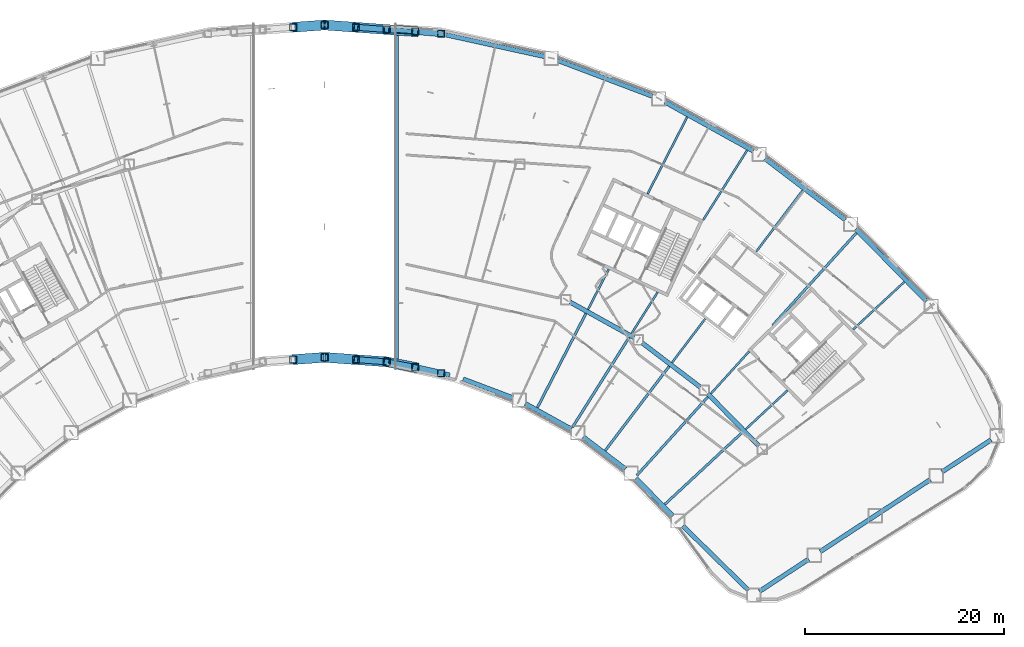
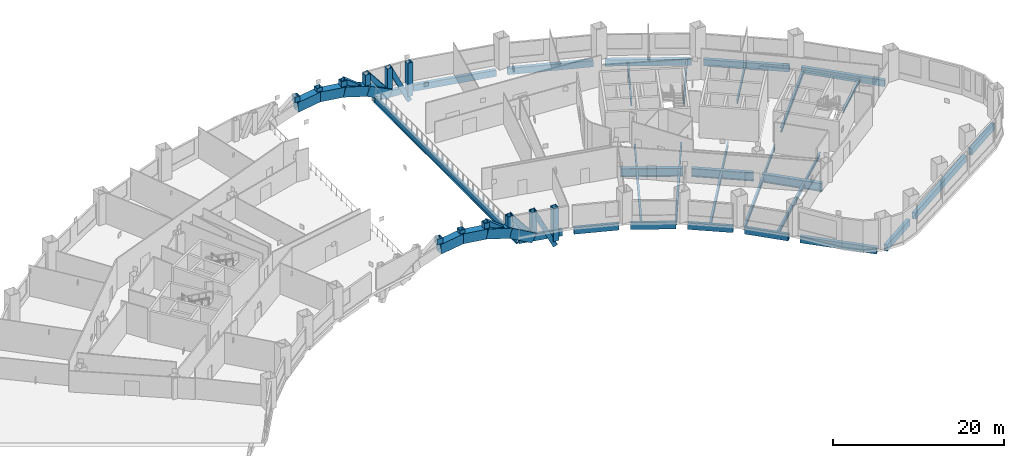
# One storey, part 4 of 24: 42 beams, 18 members.
"""IFC4 building model written with IfcOpenShell, lengths in metres."""

from ifc_helpers import new_model, si_unit, direction, frame, origin, origin_2d, place, context, subcontext, project, spatial, hollow_rectangle, i_section, extrude, material, material_profile, profile_set, type_object, element, save


model = new_model("IFC4")

# Units and contexts
model_context = context("Model", 3, precision=1e-05, world=origin(), true_north=direction((0.0, 1.0)))
body_context = subcontext(model_context, "Body", "Model", "MODEL_VIEW")
ifc_project = project(units=[si_unit("LENGTHUNIT", "METRE"), si_unit("AREAUNIT", "SQUARE_METRE"), si_unit("VOLUMEUNIT", "CUBIC_METRE"), si_unit("PLANEANGLEUNIT", "RADIAN"), si_unit("MASSUNIT", "GRAM", prefix="KILO")], contexts=[model_context])

# Site, building, storey
site_placement = place(None, origin())
site = spatial("IfcSite", under=ifc_project, at=site_placement, CompositionType="ELEMENT")
building_placement = place(site_placement, origin())
building = spatial("IfcBuilding", under=site, at=building_placement, Name="Tuul Gate Civic Tower", CompositionType="ELEMENT")
storey_placement = place(building_placement, frame((0.0, 0.0, 21.89990234375)))
storey = spatial("IfcBuildingStorey", under=building, at=storey_placement, Name="Level 04", CompositionType="ELEMENT", Elevation=21.89990234375)

# Beams
ifc_material_1 = material(Name="Steel S460", Category="steel")
ifc_material_profile_1 = material_profile(ifc_material_1, hollow_rectangle(XDim=1.0, YDim=1.39990234375, WallThickness=0.0400390625, at=origin_2d()), Name="BOX1400x1000x40")
ifc_profile_set_1 = profile_set([ifc_material_profile_1], Name="Steel S460")
beam_type_1 = type_object("IfcBeamType", Name="STR-ARCH TRUSS CHORD-BOX1400x1000x40", PredefinedType="BEAM", material=ifc_profile_set_1)
for number, where, z_axis, x_axis, name in (
    (1, (-3.162109375, 19.68505859375, 1.525146484375), (0.993659432401, 0.071962055867, 0.086385154485), (-0.07223207268, 0.99738785218, 0.0), "Arch rib"),
    (2, (0.0, 19.9140625, 1.800048828125), (0.993659432401, -0.071962055867, -0.086385154485), (0.07223207268, 0.99738785218, 0.0), "Arch rib"),
):
    element("IfcBeam", number, at=place(storey_placement, frame(where, z_axis=z_axis, x_axis=x_axis)), inside=storey, type_object=beam_type_1, Name=name, PredefinedType="BEAM", context=body_context, shape_type="SweptSolid", body=[
        extrude(hollow_rectangle(XDim=1.0, YDim=1.39990234375, WallThickness=0.0400390625, at=origin_2d()), origin(), (0.0, 0.0, 1.0), 3.182373046875),
    ])
beam_1_placement = place(storey_placement, frame((3.162109375, 19.68505859375, 1.525146484375), z_axis=(0.963876910917, -0.069801686212, -0.257038956588), x_axis=(0.07222848812, 0.997388111772, 0.0)))
element("IfcBeam", 3, at=beam_1_placement, inside=storey, type_object=beam_type_1, Name="Arch rib", PredefinedType="BEAM", context=body_context, shape_type="SweptSolid", body=[
    extrude(hollow_rectangle(XDim=1.0, YDim=1.39990234375, WallThickness=0.0400390625, at=origin_2d()), origin(), (0.0, 0.0, 1.0), 3.182861328125),
])
beam_2_placement = place(storey_placement, frame((6.22998046875, 19.462890625, 0.70703125), z_axis=(0.905323274068, -0.065614257805, -0.419624282666), x_axis=(0.072286449548, 0.997383912649, 0.0)))
element("IfcBeam", 4, at=beam_2_placement, inside=storey, type_object=beam_type_1, Name="Arch rib", PredefinedType="BEAM", context=body_context, shape_type="SweptSolid", body=[
    extrude(hollow_rectangle(XDim=1.0, YDim=1.39990234375, WallThickness=0.0400390625, at=origin_2d()), origin(), (0.0, 0.0, 1.0), 3.181396484375),
])
for number, where, z_axis, x_axis, name in (
    (5, (-3.162109375, -13.7021484375, 1.525146484375), (0.993653943699, 0.072038376554, 0.086384677317), (-0.072308676735, 0.997382301462, 0.0), "Arch rib"),
    (6, (0.0, -13.472900390625, 1.800048828125), (0.993653943699, -0.072038376554, -0.086384677317), (0.072308676735, 0.997382301462, 0.0), "Arch rib"),
):
    element("IfcBeam", number, at=place(storey_placement, frame(where, z_axis=z_axis, x_axis=x_axis)), inside=storey, type_object=beam_type_1, Name=name, PredefinedType="BEAM", context=body_context, shape_type="SweptSolid", body=[
        extrude(hollow_rectangle(XDim=1.0, YDim=1.39990234375, WallThickness=0.0400390625, at=origin_2d()), origin(), (0.0, 0.0, 1.0), 3.182373046875),
    ])
beam_3_placement = place(storey_placement, frame((3.162109375, -13.7021484375, 1.525146484375), z_axis=(0.963871747382, -0.069878017019, -0.257037579618), x_axis=(0.072307445326, 0.997382390736, 0.0)))
element("IfcBeam", 7, at=beam_3_placement, inside=storey, type_object=beam_type_1, Name="Arch rib", PredefinedType="BEAM", context=body_context, shape_type="SweptSolid", body=[
    extrude(hollow_rectangle(XDim=1.0, YDim=1.39990234375, WallThickness=0.0400390625, at=origin_2d()), origin(), (0.0, 0.0, 1.0), 3.182861328125),
])
beam_4_placement = place(storey_placement, frame((6.22998046875, -13.924560546875, 0.70703125), z_axis=(0.893267297802, -0.175064337757, -0.41403624518), x_axis=(0.192323360014, 0.98133160817, 0.0)))
element("IfcBeam", 8, at=beam_4_placement, inside=storey, type_object=beam_type_1, Name="Arch rib", PredefinedType="BEAM", context=body_context, shape_type="SweptSolid", body=[
    extrude(hollow_rectangle(XDim=1.0, YDim=1.39990234375, WallThickness=0.0400390625, at=origin_2d()), origin(), (0.0, 0.0, 1.0), 3.224365234375),
])

# Members
ifc_material_2 = material(Name="Steel S355", Category="steel")
ifc_material_profile_2 = material_profile(ifc_material_2, hollow_rectangle(XDim=0.60009765625, YDim=0.60009765625, WallThickness=0.02490234375, at=origin_2d()), Name="BOX600x600x25")
ifc_profile_set_2 = profile_set([ifc_material_profile_2], Name="Steel S355")
member_type_1 = type_object("IfcMemberType", Name="STR-ARCH TRUSS DIAGONAL-BOX600x600x25", PredefinedType="BRACE", material=ifc_profile_set_2)
member_1_placement = place(storey_placement, frame((6.22998046875, 19.462890625, 0.70703125), z_axis=(-0.798402388449, 0.05781841266, 0.599341853433), x_axis=(-0.07222848812, -0.997388111772, 0.0)))
element("IfcMember", 9, at=member_1_placement, inside=storey, type_object=member_type_1, Name="Arch web", PredefinedType="BRACE", context=body_context, shape_type="SweptSolid", body=[
    extrude(hollow_rectangle(XDim=0.60009765625, YDim=0.60009765625, WallThickness=0.02490234375, at=origin_2d()), origin(), (0.0, 0.0, 1.0), 3.842529296875),
])
member_2_placement = place(storey_placement, frame((9.110107421875, 19.254150390625, -0.6279296875), z_axis=(-0.620087915001, 0.044941524737, 0.783244046913), x_axis=(-0.072286449548, -0.997383912649, 0.0)))
element("IfcMember", 10, at=member_2_placement, inside=storey, type_object=member_type_1, Name="Arch web", PredefinedType="BRACE", context=body_context, shape_type="SweptSolid", body=[
    extrude(hollow_rectangle(XDim=0.60009765625, YDim=0.60009765625, WallThickness=0.02490234375, at=origin_2d()), origin(), (0.0, 0.0, 1.0), 4.644775390625),
])
member_3_placement = place(storey_placement, frame((11.715087890625, 19.0361328125, -2.44189453125), z_axis=(-0.430844831855, 0.036058522479, 0.901705336471), x_axis=(-0.083401016609, -0.996516066317, 0.0)))
element("IfcMember", 11, at=member_3_placement, inside=storey, type_object=member_type_1, Name="Arch web", PredefinedType="BRACE", context=body_context, shape_type="SweptSolid", body=[
    extrude(hollow_rectangle(XDim=0.60009765625, YDim=0.60009765625, WallThickness=0.02490234375, at=origin_2d()), origin(), (0.0, 0.0, 1.0), 6.046142578125),
])
member_4_placement = place(storey_placement, frame((6.22998046875, -13.924560546875, 0.70703125), z_axis=(-0.798399453849, 0.057881736627, 0.599339650498), x_axis=(-0.072307445326, -0.997382390736, 0.0)))
element("IfcMember", 12, at=member_4_placement, inside=storey, type_object=member_type_1, Name="Arch web", PredefinedType="BRACE", context=body_context, shape_type="SweptSolid", body=[
    extrude(hollow_rectangle(XDim=0.60009765625, YDim=0.60009765625, WallThickness=0.02490234375, at=origin_2d()), origin(), (0.0, 0.0, 1.0), 3.842529296875),
])
member_5_placement = place(storey_placement, frame((9.110107421875, -14.489013671875, -0.6279296875), z_axis=(-0.616172608496, 0.12075875823, 0.778298553802), x_axis=(-0.192323360014, -0.98133160817, 0.0)))
element("IfcMember", 13, at=member_5_placement, inside=storey, type_object=member_type_1, Name="Arch web", PredefinedType="BRACE", context=body_context, shape_type="SweptSolid", body=[
    extrude(hollow_rectangle(XDim=0.60009765625, YDim=0.60009765625, WallThickness=0.02490234375, at=origin_2d()), origin(), (0.0, 0.0, 1.0), 4.67431640625),
])
member_6_placement = place(storey_placement, frame((11.715087890625, -15.063232421875, -2.44189453125), z_axis=(-0.429191468497, 0.094607154068, 0.898245049955), x_axis=(-0.215263336647, -0.976556038277, 0.0)))
element("IfcMember", 14, at=member_6_placement, inside=storey, type_object=member_type_1, Name="Arch web", PredefinedType="BRACE", context=body_context, shape_type="SweptSolid", body=[
    extrude(hollow_rectangle(XDim=0.60009765625, YDim=0.60009765625, WallThickness=0.02490234375, at=origin_2d()), origin(), (0.0, 0.0, 1.0), 6.069580078125),
])
ifc_material_3 = material(Name="Steel S355", Category="steel")
ifc_material_profile_3 = material_profile(ifc_material_3, hollow_rectangle(XDim=0.699951171875, YDim=0.699951171875, WallThickness=0.030029296875, at=origin_2d()), Name="BOX700x700x30")
ifc_profile_set_3 = profile_set([ifc_material_profile_3], Name="Steel S355")
member_type_2 = type_object("IfcMemberType", Name="STR-ARCH TRUSS POST-BOX700x700x30", PredefinedType="POST", material=ifc_profile_set_3)
member_7_placement = place(storey_placement, frame((-3.162109375, 19.68505859375, 2.215087890625), z_axis=(0.0, 0.0, 1.0), x_axis=(1.0, 0.0, 0.0)))
element("IfcMember", 15, at=member_7_placement, inside=storey, type_object=member_type_2, Name="Arch post", PredefinedType="POST", context=body_context, shape_type="SweptSolid", body=[
    extrude(hollow_rectangle(XDim=0.699951171875, YDim=0.699951171875, WallThickness=0.030029296875, at=origin_2d()), origin(), (0.0, 0.0, 1.0), 0.794921875),
])
member_8_placement = place(storey_placement, frame((0.0, 19.9140625, 2.489990234375), z_axis=(0.0, 0.0, 1.0), x_axis=(1.0, 0.0, 0.0)))
element("IfcMember", 16, at=member_8_placement, inside=storey, type_object=member_type_2, Name="Arch post", PredefinedType="POST", context=body_context, shape_type="SweptSolid", body=[
    extrude(hollow_rectangle(XDim=0.699951171875, YDim=0.699951171875, WallThickness=0.030029296875, at=origin_2d()), origin(), (0.0, 0.0, 1.0), 0.52001953125),
])
member_9_placement = place(storey_placement, frame((3.162109375, 19.68505859375, 2.215087890625), z_axis=(0.0, 0.0, 1.0), x_axis=(1.0, 0.0, 0.0)))
element("IfcMember", 17, at=member_9_placement, inside=storey, type_object=member_type_2, Name="Arch post", PredefinedType="POST", context=body_context, shape_type="SweptSolid", body=[
    extrude(hollow_rectangle(XDim=0.699951171875, YDim=0.699951171875, WallThickness=0.030029296875, at=origin_2d()), origin(), (0.0, 0.0, 1.0), 0.794921875),
])
member_10_placement = place(storey_placement, frame((6.22998046875, 19.462890625, 1.397216796875), z_axis=(0.0, 0.0, 1.0), x_axis=(1.0, 0.0, 0.0)))
element("IfcMember", 18, at=member_10_placement, inside=storey, type_object=member_type_2, Name="Arch post", PredefinedType="POST", context=body_context, shape_type="SweptSolid", body=[
    extrude(hollow_rectangle(XDim=0.699951171875, YDim=0.699951171875, WallThickness=0.030029296875, at=origin_2d()), origin(), (0.0, 0.0, 1.0), 1.61279296875),
])
member_11_placement = place(storey_placement, frame((9.110107421875, 19.254150390625, 0.06201171875), z_axis=(0.0, 0.0, 1.0), x_axis=(1.0, 0.0, 0.0)))
element("IfcMember", 19, at=member_11_placement, inside=storey, type_object=member_type_2, Name="Arch post", PredefinedType="POST", context=body_context, shape_type="SweptSolid", body=[
    extrude(hollow_rectangle(XDim=0.699951171875, YDim=0.699951171875, WallThickness=0.030029296875, at=origin_2d()), origin(), (0.0, 0.0, 1.0), 2.947998046875),
])
member_12_placement = place(storey_placement, frame((11.715087890625, 19.0361328125, -1.751953125), z_axis=(0.0, 0.0, 1.0), x_axis=(1.0, 0.0, 0.0)))
element("IfcMember", 20, at=member_12_placement, inside=storey, type_object=member_type_2, Name="Arch post", PredefinedType="POST", context=body_context, shape_type="SweptSolid", body=[
    extrude(hollow_rectangle(XDim=0.699951171875, YDim=0.699951171875, WallThickness=0.030029296875, at=origin_2d()), origin(), (0.0, 0.0, 1.0), 4.761962890625),
])
member_13_placement = place(storey_placement, frame((-3.162109375, -13.7021484375, 2.215087890625), z_axis=(0.0, 0.0, 1.0), x_axis=(1.0, 0.0, 0.0)))
element("IfcMember", 21, at=member_13_placement, inside=storey, type_object=member_type_2, Name="Arch post", PredefinedType="POST", context=body_context, shape_type="SweptSolid", body=[
    extrude(hollow_rectangle(XDim=0.699951171875, YDim=0.699951171875, WallThickness=0.030029296875, at=origin_2d()), origin(), (0.0, 0.0, 1.0), 0.794921875),
])
member_14_placement = place(storey_placement, frame((0.0, -13.472900390625, 2.489990234375), z_axis=(0.0, 0.0, 1.0), x_axis=(1.0, 0.0, 0.0)))
element("IfcMember", 22, at=member_14_placement, inside=storey, type_object=member_type_2, Name="Arch post", PredefinedType="POST", context=body_context, shape_type="SweptSolid", body=[
    extrude(hollow_rectangle(XDim=0.699951171875, YDim=0.699951171875, WallThickness=0.030029296875, at=origin_2d()), origin(), (0.0, 0.0, 1.0), 0.52001953125),
])
member_15_placement = place(storey_placement, frame((3.162109375, -13.7021484375, 2.215087890625), z_axis=(0.0, 0.0, 1.0), x_axis=(1.0, 0.0, 0.0)))
element("IfcMember", 23, at=member_15_placement, inside=storey, type_object=member_type_2, Name="Arch post", PredefinedType="POST", context=body_context, shape_type="SweptSolid", body=[
    extrude(hollow_rectangle(XDim=0.699951171875, YDim=0.699951171875, WallThickness=0.030029296875, at=origin_2d()), origin(), (0.0, 0.0, 1.0), 0.794921875),
])
member_16_placement = place(storey_placement, frame((6.22998046875, -13.924560546875, 1.397216796875), z_axis=(0.0, 0.0, 1.0), x_axis=(1.0, 0.0, 0.0)))
element("IfcMember", 24, at=member_16_placement, inside=storey, type_object=member_type_2, Name="Arch post", PredefinedType="POST", context=body_context, shape_type="SweptSolid", body=[
    extrude(hollow_rectangle(XDim=0.699951171875, YDim=0.699951171875, WallThickness=0.030029296875, at=origin_2d()), origin(), (0.0, 0.0, 1.0), 1.61279296875),
])
member_17_placement = place(storey_placement, frame((9.110107421875, -14.489013671875, 0.06201171875), z_axis=(0.0, 0.0, 1.0), x_axis=(1.0, 0.0, 0.0)))
element("IfcMember", 25, at=member_17_placement, inside=storey, type_object=member_type_2, Name="Arch post", PredefinedType="POST", context=body_context, shape_type="SweptSolid", body=[
    extrude(hollow_rectangle(XDim=0.699951171875, YDim=0.699951171875, WallThickness=0.030029296875, at=origin_2d()), origin(), (0.0, 0.0, 1.0), 2.947998046875),
])
member_18_placement = place(storey_placement, frame((11.715087890625, -15.063232421875, -1.751953125), z_axis=(0.0, 0.0, 1.0), x_axis=(1.0, 0.0, 0.0)))
element("IfcMember", 26, at=member_18_placement, inside=storey, type_object=member_type_2, Name="Arch post", PredefinedType="POST", context=body_context, shape_type="SweptSolid", body=[
    extrude(hollow_rectangle(XDim=0.699951171875, YDim=0.699951171875, WallThickness=0.030029296875, at=origin_2d()), origin(), (0.0, 0.0, 1.0), 4.761962890625),
])

# Beams
ifc_material_4 = material(Name="Steel S355", Category="steel")
ifc_material_profile_4 = material_profile(ifc_material_4, i_section(OverallWidth=0.199951171875, OverallDepth=0.5, WebThickness=0.010009765625, FlangeThickness=0.01611328125, at=origin_2d()), Name="PG500x200x10x16")
ifc_profile_set_4 = profile_set([ifc_material_profile_4], Name="Steel S355")
beam_type_2 = type_object("IfcBeamType", Name="STR-FLOOR BEAM-PG500x200x10x16", PredefinedType="BEAM", material=ifc_profile_set_4)
beam_5_placement = place(storey_placement, frame((42.313232421875, -20.696533203125, -0.599853515625), z_axis=(0.732672121193, 0.680581782615, 0.0), x_axis=(-0.680581782615, 0.732672121193, 0.0)))
element("IfcBeam", 27, at=beam_5_placement, inside=storey, type_object=beam_type_2, Name="Floor beam", PredefinedType="BEAM", context=body_context, shape_type="SweptSolid", body=[
    extrude(i_section(OverallWidth=0.199951171875, OverallDepth=0.5, WebThickness=0.010009765625, FlangeThickness=0.01611328125, at=origin_2d()), origin(), (0.0, 0.0, 1.0), 5.73193359375),
])
beam_6_placement = place(storey_placement, frame((53.109375, -10.668212890625, -0.599853515625), z_axis=(0.732687862246, 0.680564836381, 0.0), x_axis=(-0.680564836381, 0.732687862246, 0.0)))
element("IfcBeam", 28, at=beam_6_placement, inside=storey, type_object=beam_type_2, Name="Floor beam", PredefinedType="BEAM", context=body_context, shape_type="SweptSolid", body=[
    extrude(i_section(OverallWidth=0.199951171875, OverallDepth=0.5, WebThickness=0.010009765625, FlangeThickness=0.01611328125, at=origin_2d()), origin(), (0.0, 0.0, 1.0), 6.997802734375),
])
beam_7_placement = place(storey_placement, frame((38.812255859375, -17.125, -0.599853515625), z_axis=(0.671102625073, 0.741364462744, 0.0), x_axis=(-0.741364462744, 0.671102625073, 0.0)))
element("IfcBeam", 29, at=beam_7_placement, inside=storey, type_object=beam_type_2, Name="Floor beam", PredefinedType="BEAM", context=body_context, shape_type="SweptSolid", body=[
    extrude(i_section(OverallWidth=0.199951171875, OverallDepth=0.5, WebThickness=0.010009765625, FlangeThickness=0.01611328125, at=origin_2d()), origin(), (0.0, 0.0, 1.0), 5.740234375),
])
beam_8_placement = place(storey_placement, frame((34.8984375, -14.01220703125, -0.599853515625), z_axis=(0.604519082905, 0.79659065925, 0.0), x_axis=(-0.79659065925, 0.604519082905, 0.0)))
element("IfcBeam", 30, at=beam_8_placement, inside=storey, type_object=beam_type_2, Name="Floor beam", PredefinedType="BEAM", context=body_context, shape_type="SweptSolid", body=[
    extrude(i_section(OverallWidth=0.199951171875, OverallDepth=0.5, WebThickness=0.010009765625, FlangeThickness=0.01611328125, at=origin_2d()), origin(), (0.0, 0.0, 1.0), 5.520263671875),
])
beam_9_placement = place(storey_placement, frame((43.373779296875, -2.84375, -0.599853515625), z_axis=(0.604512693182, 0.796595508261, 0.0), x_axis=(-0.796595508261, 0.604512693182, 0.0)))
element("IfcBeam", 31, at=beam_9_placement, inside=storey, type_object=beam_type_2, Name="Floor beam", PredefinedType="BEAM", context=body_context, shape_type="SweptSolid", body=[
    extrude(i_section(OverallWidth=0.199951171875, OverallDepth=0.5, WebThickness=0.010009765625, FlangeThickness=0.01611328125, at=origin_2d()), origin(), (0.0, 0.0, 1.0), 7.704833984375),
])
beam_10_placement = place(storey_placement, frame((30.841552734375, -11.089599609375, -0.599853515625), z_axis=(0.533401895613, 0.845861937763, 0.0), x_axis=(-0.845861937763, 0.533401895613, 0.0)))
element("IfcBeam", 32, at=beam_10_placement, inside=storey, type_object=beam_type_2, Name="Floor beam", PredefinedType="BEAM", context=body_context, shape_type="SweptSolid", body=[
    extrude(i_section(OverallWidth=0.199951171875, OverallDepth=0.5, WebThickness=0.010009765625, FlangeThickness=0.01611328125, at=origin_2d()), origin(), (0.0, 0.0, 1.0), 4.92724609375),
])
beam_11_placement = place(storey_placement, frame((38.0400390625, 0.325927734375, -0.599853515625), z_axis=(0.53337261638, 0.845880400586, 0.0), x_axis=(-0.845880400586, 0.53337261638, 0.0)))
element("IfcBeam", 33, at=beam_11_placement, inside=storey, type_object=beam_type_2, Name="Floor beam", PredefinedType="BEAM", context=body_context, shape_type="SweptSolid", body=[
    extrude(i_section(OverallWidth=0.199951171875, OverallDepth=0.5, WebThickness=0.010009765625, FlangeThickness=0.01611328125, at=origin_2d()), origin(), (0.0, 0.0, 1.0), 8.263916015625),
])
beam_12_placement = place(storey_placement, frame((26.468017578125, -8.6650390625, -0.599853515625), z_axis=(0.458251317749, 0.88882266498, 0.0), x_axis=(-0.88882266498, 0.458251317749, 0.0)))
element("IfcBeam", 34, at=beam_12_placement, inside=storey, type_object=beam_type_2, Name="Floor beam", PredefinedType="BEAM", context=body_context, shape_type="SweptSolid", body=[
    extrude(i_section(OverallWidth=0.199951171875, OverallDepth=0.5, WebThickness=0.010009765625, FlangeThickness=0.01611328125, at=origin_2d()), origin(), (0.0, 0.0, 1.0), 4.54248046875),
])
beam_13_placement = place(storey_placement, frame((32.447998046875, 2.933349609375, -0.599853515625), z_axis=(0.458265539673, 0.888815332422, 0.0), x_axis=(-0.888815332422, 0.458265539673, 0.0)))
element("IfcBeam", 35, at=beam_13_placement, inside=storey, type_object=beam_type_2, Name="Floor beam", PredefinedType="BEAM", context=body_context, shape_type="SweptSolid", body=[
    extrude(i_section(OverallWidth=0.199951171875, OverallDepth=0.5, WebThickness=0.010009765625, FlangeThickness=0.01611328125, at=origin_2d()), origin(), (0.0, 0.0, 1.0), 8.685302734375),
])
ifc_material_5 = material(Name="Steel S355", Category="steel")
ifc_material_profile_5 = material_profile(ifc_material_5, i_section(OverallWidth=0.25, OverallDepth=0.64990234375, WebThickness=0.011962890625, FlangeThickness=0.02001953125, at=origin_2d()), Name="PG650x250x12x20")
ifc_profile_set_5 = profile_set([ifc_material_profile_5], Name="Steel S355")
beam_type_3 = type_object("IfcBeamType", Name="STR-FLOOR BEAM-PG650x250x12x20", PredefinedType="BEAM", material=ifc_profile_set_5)
beam_14_placement = place(storey_placement, frame((34.19580078125, -28.236572265625, -0.6748046875), z_axis=(0.732685493637, 0.680567386387, 0.0), x_axis=(-0.680567386387, 0.732685493637, 0.0)))
element("IfcBeam", 36, at=beam_14_placement, inside=storey, type_object=beam_type_3, Name="Floor beam", PredefinedType="BEAM", context=body_context, shape_type="SweptSolid", body=[
    extrude(i_section(OverallWidth=0.25, OverallDepth=0.64990234375, WebThickness=0.011962890625, FlangeThickness=0.02001953125, at=origin_2d()), origin(), (0.0, 0.0, 1.0), 10.62890625),
])
beam_15_placement = place(storey_placement, frame((31.366455078125, -25.35009765625, -0.6748046875), z_axis=(0.671117501912, 0.741350995567, 0.0), x_axis=(-0.741350995567, 0.671117501912, 0.0)))
element("IfcBeam", 37, at=beam_15_placement, inside=storey, type_object=beam_type_3, Name="Floor beam", PredefinedType="BEAM", context=body_context, shape_type="SweptSolid", body=[
    extrude(i_section(OverallWidth=0.25, OverallDepth=0.64990234375, WebThickness=0.011962890625, FlangeThickness=0.02001953125, at=origin_2d()), origin(), (0.0, 0.0, 1.0), 10.643798828125),
])
beam_16_placement = place(storey_placement, frame((45.019775390625, -10.267578125, -0.6748046875), z_axis=(0.671117634609, 0.741350875441, 0.0), x_axis=(-0.741350875441, 0.671117634609, 0.0)))
element("IfcBeam", 38, at=beam_16_placement, inside=storey, type_object=beam_type_3, Name="Floor beam", PredefinedType="BEAM", context=body_context, shape_type="SweptSolid", body=[
    extrude(i_section(OverallWidth=0.25, OverallDepth=0.64990234375, WebThickness=0.011962890625, FlangeThickness=0.02001953125, at=origin_2d()), origin(), (0.0, 0.0, 1.0), 12.51416015625),
])
beam_17_placement = place(storey_placement, frame((28.20361328125, -22.83447265625, -0.6748046875), z_axis=(0.604505162529, 0.796601222995, 0.0), x_axis=(-0.796601222995, 0.604505162529, 0.0)))
element("IfcBeam", 39, at=beam_17_placement, inside=storey, type_object=beam_type_3, Name="Floor beam", PredefinedType="BEAM", context=body_context, shape_type="SweptSolid", body=[
    extrude(i_section(OverallWidth=0.25, OverallDepth=0.64990234375, WebThickness=0.011962890625, FlangeThickness=0.02001953125, at=origin_2d()), origin(), (0.0, 0.0, 1.0), 10.625),
])
beam_18_placement = place(storey_placement, frame((24.9248046875, -20.47265625, -0.6748046875), z_axis=(0.533386929433, 0.845871375275, 0.0), x_axis=(-0.845871375275, 0.533386929433, 0.0)))
element("IfcBeam", 40, at=beam_18_placement, inside=storey, type_object=beam_type_3, Name="Floor beam", PredefinedType="BEAM", context=body_context, shape_type="SweptSolid", body=[
    extrude(i_section(OverallWidth=0.25, OverallDepth=0.64990234375, WebThickness=0.011962890625, FlangeThickness=0.02001953125, at=origin_2d()), origin(), (0.0, 0.0, 1.0), 10.641845703125),
])
beam_19_placement = place(storey_placement, frame((21.390380859375, -18.512939453125, -0.6748046875), z_axis=(0.45825908174, 0.888818662047, 0.0), x_axis=(-0.888818662047, 0.45825908174, 0.0)))
element("IfcBeam", 41, at=beam_19_placement, inside=storey, type_object=beam_type_3, Name="Floor beam", PredefinedType="BEAM", context=body_context, shape_type="SweptSolid", body=[
    extrude(i_section(OverallWidth=0.25, OverallDepth=0.64990234375, WebThickness=0.011962890625, FlangeThickness=0.02001953125, at=origin_2d()), origin(), (0.0, 0.0, 1.0), 10.629638671875),
])
ifc_material_6 = material(Name="Steel S355", Category="steel")
ifc_material_profile_6 = material_profile(ifc_material_6, i_section(OverallWidth=0.35009765625, OverallDepth=1.0, WebThickness=0.01611328125, FlangeThickness=0.030029296875, at=origin_2d()), Name="PG1000x350x16x30")
ifc_profile_set_6 = profile_set([ifc_material_profile_6], Name="Steel S355")
beam_type_4 = type_object("IfcBeamType", Name="STR-RING BEAM-PG1000x350x16x30", PredefinedType="BEAM", material=ifc_profile_set_6)
beam_20_placement = place(storey_placement, frame((7.25, -14.0791015625, -0.849853515625), z_axis=(0.0, 1.0, 0.0), x_axis=(-1.0, 0.0, 0.0)))
element("IfcBeam", 42, at=beam_20_placement, inside=storey, type_object=beam_type_4, Name="Tunnel edge beam", PredefinedType="BEAM", context=body_context, shape_type="SweptSolid", body=[
    extrude(i_section(OverallWidth=0.35009765625, OverallDepth=1.0, WebThickness=0.01611328125, FlangeThickness=0.030029296875, at=origin_2d()), origin(), (0.0, 0.0, 1.0), 33.468017578125),
])
ifc_material_7 = material(Name="Steel S355", Category="steel")
ifc_material_profile_7 = material_profile(ifc_material_7, i_section(OverallWidth=0.449951171875, OverallDepth=1.199951171875, WebThickness=0.02001953125, FlangeThickness=0.0400390625, at=origin_2d()), Name="PG1200x450x20x40")
ifc_profile_set_7 = profile_set([ifc_material_profile_7], Name="Steel S355")
beam_type_5 = type_object("IfcBeamType", Name="STR-RING BEAM-PG1200x450x20x40", PredefinedType="BEAM", material=ifc_profile_set_7)
beam_21_placement = place(storey_placement, frame((24.67333984375, -7.927490234375, -0.949951171875), z_axis=(0.874595196089, -0.484853836717, 0.0), x_axis=(0.484853836717, 0.874595196089, 0.0)))
element("IfcBeam", 43, at=beam_21_placement, inside=storey, type_object=beam_type_5, Name="Ring girder", PredefinedType="BEAM", context=body_context, shape_type="SweptSolid", body=[
    extrude(i_section(OverallWidth=0.449951171875, OverallDepth=1.199951171875, WebThickness=0.02001953125, FlangeThickness=0.0400390625, at=origin_2d()), origin(), (0.0, 0.0, 1.0), 7.3310546875),
])
beam_22_placement = place(storey_placement, frame((31.920166015625, -12.02734375, -0.949951171875), z_axis=(0.795630466158, -0.605782272207, 0.0), x_axis=(0.605782272207, 0.795630466158, 0.0)))
element("IfcBeam", 44, at=beam_22_placement, inside=storey, type_object=beam_type_5, Name="Ring girder", PredefinedType="BEAM", context=body_context, shape_type="SweptSolid", body=[
    extrude(i_section(OverallWidth=0.449951171875, OverallDepth=1.199951171875, WebThickness=0.02001953125, FlangeThickness=0.0400390625, at=origin_2d()), origin(), (0.0, 0.0, 1.0), 7.330078125),
])
beam_23_placement = place(storey_placement, frame((38.5, -17.127685546875, -0.949951171875), z_axis=(0.699994492155, -0.71414824158, 0.0), x_axis=(0.71414824158, 0.699994492155, 0.0)))
element("IfcBeam", 45, at=beam_23_placement, inside=storey, type_object=beam_type_5, Name="Ring girder", PredefinedType="BEAM", context=body_context, shape_type="SweptSolid", body=[
    extrude(i_section(OverallWidth=0.449951171875, OverallDepth=1.199951171875, WebThickness=0.02001953125, FlangeThickness=0.0400390625, at=origin_2d()), origin(), (0.0, 0.0, 1.0), 7.330810546875),
])
ifc_material_8 = material(Name="Steel S355", Category="steel")
ifc_material_profile_8 = material_profile(ifc_material_8, hollow_rectangle(XDim=0.449951171875, YDim=0.89990234375, WallThickness=0.02490234375, at=origin_2d()), Name="BOX900x450x25")
ifc_profile_set_8 = profile_set([ifc_material_profile_8], Name="Steel S355")
beam_type_6 = type_object("IfcBeamType", Name="STR-SPANDREL BEAM-BOX900x450x25", PredefinedType="BEAM", material=ifc_profile_set_8)
beam_24_placement = place(storey_placement, frame((60.470947265625, -7.828125, -0.7998046875), z_axis=(-0.700009826077, 0.714133211239, 0.0), x_axis=(-0.714133211239, -0.700009826077, 0.0)))
element("IfcBeam", 46, at=beam_24_placement, inside=storey, type_object=beam_type_6, Name="Spandrel beam", PredefinedType="BEAM", context=body_context, shape_type="SweptSolid", body=[
    extrude(hollow_rectangle(XDim=0.449951171875, YDim=0.89990234375, WallThickness=0.02490234375, at=origin_2d()), origin(), (0.0, 0.0, 1.0), 10.14697265625),
])
for number, where, z_axis, x_axis, name in (
    (47, (52.321044921875, 0.342041015625, -0.7998046875), (-0.795616160285, 0.605801060987, 0.0), (-0.605801060987, -0.795616160285, 0.0), "Spandrel beam"),
    (48, (43.078857421875, 7.25244140625, -0.7998046875), (-0.874621074476, 0.484807153497, 0.0), (-0.484807153497, -0.874621074476, 0.0), "Spandrel beam"),
):
    element("IfcBeam", number, at=place(storey_placement, frame(where, z_axis=z_axis, x_axis=x_axis)), inside=storey, type_object=beam_type_6, Name=name, PredefinedType="BEAM", context=body_context, shape_type="SweptSolid", body=[
        extrude(hollow_rectangle(XDim=0.449951171875, YDim=0.89990234375, WallThickness=0.02490234375, at=origin_2d()), origin(), (0.0, 0.0, 1.0), 10.146728515625),
    ])
for number, where, z_axis, x_axis, name in (
    (49, (32.937255859375, 12.758544921875, -0.7998046875), (-0.935355549891, 0.353708913215, 0.0), (-0.353708913215, -0.935355549891, 0.0), "Spandrel beam"),
    (50, (22.1083984375, 16.74560546875, -0.7998046875), (-0.976563206365, 0.215230815575, 0.0), (-0.215230815575, -0.976563206365, 0.0), "Spandrel beam"),
):
    element("IfcBeam", number, at=place(storey_placement, frame(where, z_axis=z_axis, x_axis=x_axis)), inside=storey, type_object=beam_type_6, Name=name, PredefinedType="BEAM", context=body_context, shape_type="SweptSolid", body=[
        extrude(hollow_rectangle(XDim=0.449951171875, YDim=0.89990234375, WallThickness=0.02490234375, at=origin_2d()), origin(), (0.0, 0.0, 1.0), 10.146484375),
    ])
beam_25_placement = place(storey_placement, frame((10.81787109375, 19.130615234375, -0.7998046875), z_axis=(-0.997391003853, 0.072188540874, 0.0), x_axis=(-0.072188540874, -0.997391003853, 0.0)))
element("IfcBeam", 51, at=beam_25_placement, inside=storey, type_object=beam_type_6, Name="Spandrel beam", PredefinedType="BEAM", context=body_context, shape_type="SweptSolid", body=[
    extrude(hollow_rectangle(XDim=0.449951171875, YDim=0.89990234375, WallThickness=0.02490234375, at=origin_2d()), origin(), (0.0, 0.0, 1.0), 3.777587890625),
])
beam_26_placement = place(storey_placement, frame((7.388671875, -14.109619140625, -0.7998046875), z_axis=(0.976555830426, -0.215264279577, 0.0), x_axis=(0.215264279577, 0.976555830426, 0.0)))
element("IfcBeam", 52, at=beam_26_placement, inside=storey, type_object=beam_type_6, Name="Spandrel beam", PredefinedType="BEAM", context=body_context, shape_type="SweptSolid", body=[
    extrude(hollow_rectangle(XDim=0.449951171875, YDim=0.89990234375, WallThickness=0.02490234375, at=origin_2d()), origin(), (0.0, 0.0, 1.0), 5.322509765625),
])
beam_27_placement = place(storey_placement, frame((13.9248046875, -15.653564453125, -0.7998046875), z_axis=(0.935406025935, -0.353575404468, 0.0), x_axis=(0.353575404468, 0.935406025935, 0.0)))
element("IfcBeam", 53, at=beam_27_placement, inside=storey, type_object=beam_type_6, Name="Spandrel beam", PredefinedType="BEAM", context=body_context, shape_type="SweptSolid", body=[
    extrude(hollow_rectangle(XDim=0.449951171875, YDim=0.89990234375, WallThickness=0.02490234375, at=origin_2d()), origin(), (0.0, 0.0, 1.0), 5.322265625),
])
beam_28_placement = place(storey_placement, frame((20.170166015625, -18.122314453125, -0.7998046875), z_axis=(0.87456368019, -0.484910681769, 0.0), x_axis=(0.484910681769, 0.87456368019, 0.0)))
element("IfcBeam", 54, at=beam_28_placement, inside=storey, type_object=beam_type_6, Name="Spandrel beam", PredefinedType="BEAM", context=body_context, shape_type="SweptSolid", body=[
    extrude(hollow_rectangle(XDim=0.449951171875, YDim=0.89990234375, WallThickness=0.02490234375, at=origin_2d()), origin(), (0.0, 0.0, 1.0), 5.3232421875),
])
beam_29_placement = place(storey_placement, frame((25.994873046875, -21.467041015625, -0.7998046875), z_axis=(0.795624397763, -0.605790242315, 0.0), x_axis=(0.605790242315, 0.795624397763, 0.0)))
element("IfcBeam", 55, at=beam_29_placement, inside=storey, type_object=beam_type_6, Name="Spandrel beam", PredefinedType="BEAM", context=body_context, shape_type="SweptSolid", body=[
    extrude(hollow_rectangle(XDim=0.449951171875, YDim=0.89990234375, WallThickness=0.02490234375, at=origin_2d()), origin(), (0.0, 0.0, 1.0), 5.32177734375),
])
beam_30_placement = place(storey_placement, frame((31.276123046875, -25.614990234375, -0.7998046875), z_axis=(0.700007662648, -0.714135331876, 0.0), x_axis=(0.714135331876, 0.700007662648, 0.0)))
element("IfcBeam", 56, at=beam_30_placement, inside=storey, type_object=beam_type_6, Name="Spandrel beam", PredefinedType="BEAM", context=body_context, shape_type="SweptSolid", body=[
    extrude(hollow_rectangle(XDim=0.449951171875, YDim=0.89990234375, WallThickness=0.02490234375, at=origin_2d()), origin(), (0.0, 0.0, 1.0), 5.322509765625),
])
beam_31_placement = place(storey_placement, frame((35.991943359375, -30.406005859375, -0.7998046875), z_axis=(0.714257932821, -0.699882565437, 0.0), x_axis=(0.699882565437, 0.714257932821, 0.0)))
element("IfcBeam", 57, at=beam_31_placement, inside=storey, type_object=beam_type_6, Name="Spandrel beam", PredefinedType="BEAM", context=body_context, shape_type="SweptSolid", body=[
    extrude(hollow_rectangle(XDim=0.449951171875, YDim=0.89990234375, WallThickness=0.02490234375, at=origin_2d()), origin(), (0.0, 0.0, 1.0), 9.255859375),
])
beam_32_placement = place(storey_placement, frame((43.688720703125, -36.99072265625, -0.7998046875), z_axis=(0.836737319566, 0.547604472265, 0.0), x_axis=(-0.547604472265, 0.836737319566, 0.0)))
element("IfcBeam", 58, at=beam_32_placement, inside=storey, type_object=beam_type_6, Name="Spandrel beam", PredefinedType="BEAM", context=body_context, shape_type="SweptSolid", body=[
    extrude(hollow_rectangle(XDim=0.449951171875, YDim=0.89990234375, WallThickness=0.02490234375, at=origin_2d()), origin(), (0.0, 0.0, 1.0), 5.908203125),
])
beam_33_placement = place(storey_placement, frame((49.8037109375, -32.98876953125, -0.7998046875), z_axis=(0.836741071493, 0.547598739294, 0.0), x_axis=(-0.547598739294, 0.836741071493, 0.0)))
element("IfcBeam", 59, at=beam_33_placement, inside=storey, type_object=beam_type_6, Name="Spandrel beam", PredefinedType="BEAM", context=body_context, shape_type="SweptSolid", body=[
    extrude(hollow_rectangle(XDim=0.449951171875, YDim=0.89990234375, WallThickness=0.02490234375, at=origin_2d()), origin(), (0.0, 0.0, 1.0), 13.215087890625),
])
beam_34_placement = place(storey_placement, frame((62.03271484375, -24.985595703125, -0.7998046875), z_axis=(0.836737319566, 0.547604472265, 0.0), x_axis=(-0.547604472265, 0.836737319566, 0.0)))
element("IfcBeam", 60, at=beam_34_placement, inside=storey, type_object=beam_type_6, Name="Spandrel beam", PredefinedType="BEAM", context=body_context, shape_type="SweptSolid", body=[
    extrude(hollow_rectangle(XDim=0.449951171875, YDim=0.89990234375, WallThickness=0.02490234375, at=origin_2d()), origin(), (0.0, 0.0, 1.0), 5.908203125),
])

save(model, "model.ifc")
